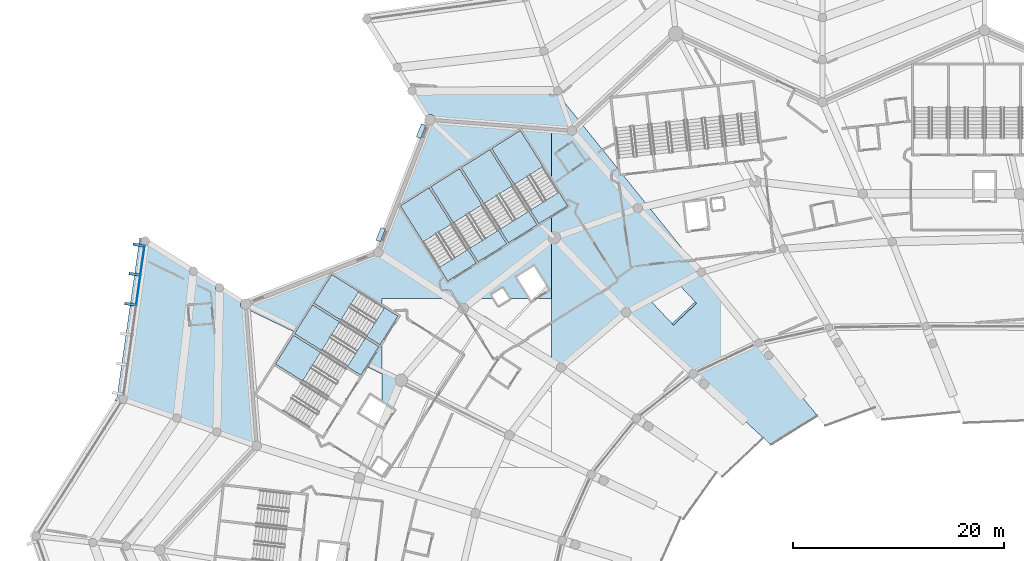
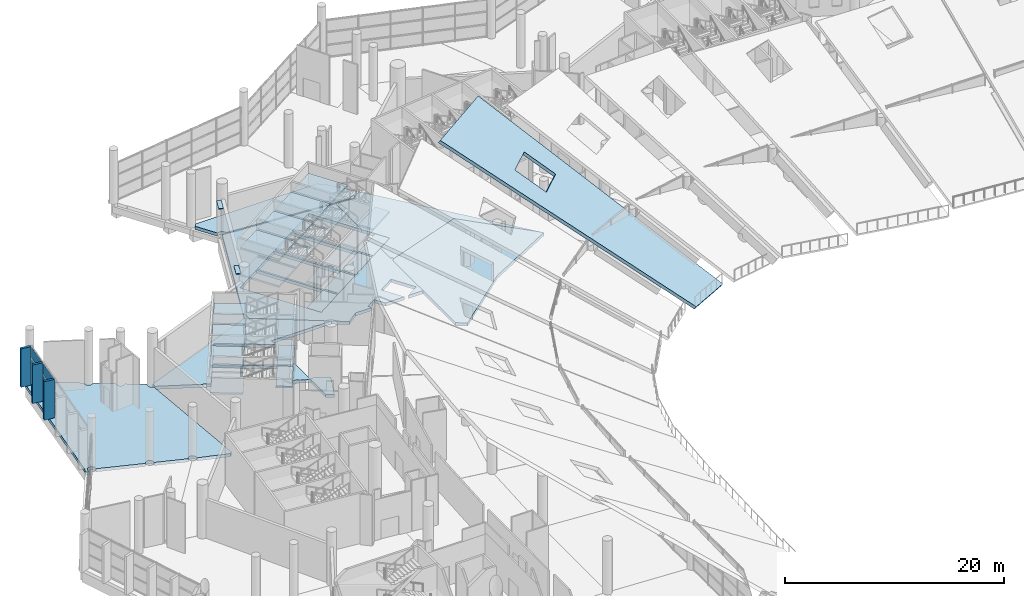
# One storey, part 122 of 249: 33 slabs, 11 plates, 8 elements without a shape of their own.
"""IFC4 building model written with IfcOpenShell, lengths in metres."""

from ifc_helpers import new_model, si_unit, direction, frame, origin, origin_2d, place, context, subcontext, project, spatial, polyline, rectangle, outline, extrude, material, layer, layer_set, type_object, element, aggregate, save


model = new_model("IFC4")

# Units and contexts
model_context = context("Model", 3, precision=1e-05, world=origin(), true_north=direction((0.0, 1.0)))
body_context = subcontext(model_context, "Body", "Model", "MODEL_VIEW")
ifc_project = project(units=[si_unit("LENGTHUNIT", "METRE"), si_unit("AREAUNIT", "SQUARE_METRE"), si_unit("VOLUMEUNIT", "CUBIC_METRE"), si_unit("PLANEANGLEUNIT", "RADIAN"), si_unit("MASSUNIT", "GRAM", prefix="KILO")], contexts=[model_context])

# Site, building, storey
site_placement = place(None, origin())
site = spatial("IfcSite", under=ifc_project, at=site_placement, CompositionType="ELEMENT")
building_placement = place(site_placement, origin())
building = spatial("IfcBuilding", under=site, at=building_placement, Name="Meseta Stadium", CompositionType="ELEMENT")
storey_placement = place(building_placement, frame((0.0, 0.0, 12.0)))
storey = spatial("IfcBuildingStorey", under=building, at=storey_placement, Name="L02", CompositionType="ELEMENT", Elevation=12.0)

# Slabs
ifc_material_1 = material(Name="Concrete C40/50", Category="concrete")
ifc_layer_1 = layer(ifc_material_1, 0.35009765625)
ifc_layer_set_1 = layer_set([ifc_layer_1], Name="Floor slab 350")
slab_type_1 = type_object("IfcSlabType", Name="Floor slab 350", PredefinedType="FLOOR", material=ifc_layer_set_1)
slab_1_placement = place(storey_placement, frame((0.0, 0.0, -0.35009765625)))
element("IfcSlab", 1, at=slab_1_placement, inside=storey, type_object=slab_type_1, Name="Floor slab L02 sector 21 panel 03", PredefinedType="FLOOR", context=body_context, shape_type="SweptSolid", body=[
    extrude(outline(polyline([(-80.124267578125, 84.98388671875), (-80.365478515625, 84.365478515625), (-92.908447265625, 79.474609375), (-92.87451171875, 79.03369140625), (-88.2158203125, 76.793212890625), (-86.58056640625, 79.395751953125), (-80.314697265625, 75.458740234375), (-81.504150390625, 73.565673828125), (-80.0, 72.84228515625), (-80.0, 70.12353515625), (-79.308349609375, 69.68896484375), (-78.197998046875, 72.27197265625), (-80.0, 73.154296875), (-80.0, 75.959716796875), (-80.208251953125, 75.628173828125), (-86.47412109375, 79.565185546875), (-84.771484375, 82.274658203125), (-80.0, 79.276611328125), (-80.0, 80.0), (-73.699951171875, 80.0), (-80.0, 84.126220703125), (-80.0, 84.89990234375), (-80.124267578125, 84.98388671875)])), origin(), (0.0, 0.0, 1.0), 0.35009765625),
])
slab_2_placement = place(storey_placement, frame((0.0, 0.0, -0.35009765625)))
element("IfcSlab", 2, at=slab_2_placement, inside=storey, type_object=slab_type_1, Name="Floor slab L02 sector 21 panel 07", PredefinedType="FLOOR", context=body_context, shape_type="SweptSolid", body=[
    extrude(outline(polyline([(-80.0, 84.126220703125), (-72.31201171875, 79.091064453125), (-71.144287109375, 80.0), (-69.397216796875, 80.0), (-69.62158203125, 80.357177734375), (-68.605712890625, 80.99560546875), (-67.97998046875, 80.0), (-65.972412109375, 80.0), (-67.245849609375, 82.027099609375), (-65.63720703125, 83.0380859375), (-64.25390625, 80.83642578125), (-65.585205078125, 80.0), (-64.0, 80.0), (-64.0, 85.5615234375), (-63.731201171875, 85.77099609375), (-64.0, 86.02587890625), (-64.0, 87.8203125), (-65.1689453125, 87.085693359375), (-69.63818359375, 94.1982421875), (-66.9287109375, 95.90087890625), (-64.0, 91.239990234375), (-64.0, 96.023193359375), (-75.474609375, 96.908447265625), (-75.825927734375, 96.00732421875), (-75.818115234375, 96.0), (-75.828857421875, 96.0), (-80.124267578125, 84.98388671875), (-80.0, 84.89990234375), (-80.0, 84.126220703125)]), holes=[polyline([(-65.33837890625, 86.9794921875), (-68.0478515625, 85.27685546875), (-72.516845703125, 92.389404296875), (-69.807373046875, 94.091796875), (-65.33837890625, 86.9794921875)]), polyline([(-71.09619140625, 83.361572265625), (-73.8056640625, 81.6591796875), (-78.274658203125, 88.771484375), (-75.565185546875, 90.47412109375), (-71.09619140625, 83.361572265625)]), polyline([(-68.21728515625, 85.17041015625), (-70.9267578125, 83.468017578125), (-75.395751953125, 90.58056640625), (-72.686279296875, 92.282958984375), (-68.21728515625, 85.17041015625)])]), origin(), (0.0, 0.0, 1.0), 0.35009765625),
])
slab_3_placement = place(storey_placement, frame((0.0, 0.0, -0.35009765625)))
element("IfcSlab", 3, at=slab_3_placement, inside=storey, type_object=slab_type_1, Name="Floor slab L02 sector 21 panel 09", PredefinedType="FLOOR", context=body_context, shape_type="SweptSolid", body=[
    extrude(outline(polyline([(-62.051513671875, 95.872802734375), (-64.0, 96.023193359375), (-64.0, 91.239990234375), (-62.45947265625, 88.788330078125), (-64.0, 87.8203125), (-64.0, 86.02587890625), (-63.731201171875, 85.77099609375), (-55.799560546875, 88.541748046875), (-49.791259765625, 82.4990234375), (-57.296142578125, 91.798095703125), (-57.449951171875, 91.78076171875), (-57.477294921875, 92.0224609375), (-61.21435546875, 96.653076171875), (-62.051513671875, 95.872802734375)])), origin(), (0.0, 0.0, 1.0), 0.35009765625),
])
slab_4_placement = place(storey_placement, frame((0.0, 0.0, -0.35009765625)))
element("IfcSlab", 4, at=slab_4_placement, inside=storey, type_object=slab_type_1, Name="Floor slab L02 sector 21 panel 10", PredefinedType="FLOOR", context=body_context, shape_type="SweptSolid", body=[
    extrude(outline(polyline([(-63.068115234375, 73.469970703125), (-56.9150390625, 78.69580078125), (-49.791015625, 82.498779296875), (-55.799560546875, 88.541748046875), (-63.731201171875, 85.77099609375), (-64.0, 85.5615234375), (-64.0, 74.098876953125), (-63.068115234375, 73.469970703125)])), origin(), (0.0, 0.0, 1.0), 0.35009765625),
])
slab_5_placement = place(storey_placement, frame((0.0, 0.0, -0.35009765625)))
element("IfcSlab", 5, at=slab_5_placement, inside=storey, type_object=slab_type_1, Name="Ring floor slab L02 3 part 1 panel 02", PredefinedType="FLOOR", context=body_context, shape_type="SweptSolid", body=[
    extrude(outline(polyline([(-76.902099609375, 99.348876953125), (-76.940185546875, 99.319580078125), (-75.705078125, 97.354248046875), (-75.60498046875, 97.395751953125), (-75.474609375, 97.412841796875), (-75.343994140625, 97.395751953125), (-75.222412109375, 97.34521484375), (-75.117919921875, 97.26513671875), (-75.037841796875, 97.16064453125), (-74.9873046875, 97.0390625), (-74.985107421875, 97.021240234375), (-62.463134765625, 96.054931640625), (-62.444580078125, 96.099609375), (-62.37255859375, 96.193603515625), (-62.278564453125, 96.265869140625), (-62.1689453125, 96.31103515625), (-62.051513671875, 96.32666015625), (-61.93408203125, 96.31103515625), (-61.842041015625, 96.27294921875), (-61.30859375, 96.77001953125), (-63.3125, 99.252685546875), (-63.372802734375, 99.244873046875), (-63.47705078125, 99.258544921875), (-63.574462890625, 99.298828125), (-63.657958984375, 99.363037109375), (-63.72216796875, 99.446533203125), (-63.762451171875, 99.543701171875), (-63.77587890625, 99.64794921875), (-76.783935546875, 99.634521484375), (-76.797607421875, 99.52978515625), (-76.837890625, 99.4326171875), (-76.902099609375, 99.348876953125)])), origin(), (0.0, 0.0, 1.0), 0.35009765625),
])
slab_6_placement = place(storey_placement, frame((0.0, 0.0, -0.35009765625)))
element("IfcSlab", 6, at=slab_6_placement, inside=storey, type_object=slab_type_1, Name="Ring floor slab L02 4 part 2 panel 02", PredefinedType="FLOOR", context=body_context, shape_type="SweptSolid", body=[
    extrude(outline(polyline([(-93.395751953125, 79.60498046875), (-93.354248046875, 79.705078125), (-95.065673828125, 80.780517578125), (-95.094970703125, 80.7421875), (-95.178466796875, 80.67822265625), (-95.27587890625, 80.637939453125), (-95.380126953125, 80.624267578125), (-95.484619140625, 80.637939453125), (-95.581787109375, 80.67822265625), (-95.66552734375, 80.7421875), (-95.7294921875, 80.825927734375), (-95.77001953125, 80.923095703125), (-95.78369140625, 81.027587890625), (-95.77001953125, 81.132080078125), (-95.739990234375, 81.2041015625), (-97.537353515625, 82.33349609375), (-97.566650390625, 82.29541015625), (-97.650146484375, 82.231201171875), (-97.747314453125, 82.19091796875), (-97.851806640625, 82.17724609375), (-97.89697265625, 82.18310546875), (-97.956298828125, 82.19091796875), (-98.0537109375, 82.231201171875), (-98.13720703125, 82.29541015625), (-98.201416015625, 82.37890625), (-98.24169921875, 82.476318359375), (-98.25537109375, 82.580810546875), (-98.24169921875, 82.68505859375), (-98.211669921875, 82.75732421875), (-101.26171875, 84.673828125), (-101.236572265625, 84.70751953125), (-102.083984375, 85.239990234375), (-102.138916015625, 85.16845703125), (-102.222412109375, 85.104248046875), (-102.31982421875, 85.06396484375), (-102.42431640625, 85.05029296875), (-102.479736328125, 85.0576171875), (-102.528564453125, 85.06396484375), (-102.6259765625, 85.104248046875), (-102.70947265625, 85.16845703125), (-102.773681640625, 85.251953125), (-102.81396484375, 85.34912109375), (-102.82763671875, 85.45361328125), (-102.81396484375, 85.55810546875), (-102.773681640625, 85.655517578125), (-102.764404296875, 85.66748046875), (-102.93212890625, 85.77294921875), (-105.087158203125, 70.675537109375), (-105.27880859375, 70.37158203125), (-104.837646484375, 70.233154296875), (-104.8701171875, 70.275634765625), (-104.910400390625, 70.372802734375), (-104.92431640625, 70.477294921875), (-104.910400390625, 70.581787109375), (-104.8701171875, 70.678955078125), (-104.805908203125, 70.7626953125), (-104.722412109375, 70.82666015625), (-104.625244140625, 70.866943359375), (-104.520751953125, 70.880859375), (-104.416259765625, 70.866943359375), (-104.319091796875, 70.82666015625), (-104.235595703125, 70.7626953125), (-104.17138671875, 70.678955078125), (-104.131103515625, 70.581787109375), (-104.1171875, 70.477294921875), (-104.131103515625, 70.372802734375), (-104.142578125, 70.344970703125), (-99.802001953125, 68.826171875), (-99.773193359375, 68.8955078125), (-99.708984375, 68.97900390625), (-99.62548828125, 69.043212890625), (-99.5283203125, 69.08349609375), (-99.423828125, 69.09716796875), (-99.3193359375, 69.08349609375), (-99.22216796875, 69.043212890625), (-99.138427734375, 68.97900390625), (-99.074462890625, 68.8955078125), (-99.0341796875, 68.798095703125), (-99.020263671875, 68.69384765625), (-99.0341796875, 68.58935546875), (-99.045654296875, 68.5615234375), (-96.0263671875, 67.5048828125), (-95.997802734375, 67.574462890625), (-95.93359375, 67.657958984375), (-95.85009765625, 67.72216796875), (-95.752685546875, 67.762451171875), (-95.648193359375, 67.776123046875), (-95.543701171875, 67.762451171875), (-95.446533203125, 67.72216796875), (-95.363037109375, 67.657958984375), (-95.298828125, 67.574462890625), (-95.258544921875, 67.47705078125), (-95.244873046875, 67.372802734375), (-95.258544921875, 67.268310546875), (-95.272705078125, 67.234375), (-92.2578125, 66.2890625), (-92.193603515625, 66.37255859375), (-92.099609375, 66.444580078125), (-92.054931640625, 66.463134765625), (-93.021240234375, 78.985107421875), (-93.0390625, 78.9873046875), (-93.16064453125, 79.037841796875), (-93.26513671875, 79.117919921875), (-93.34521484375, 79.222412109375), (-93.395751953125, 79.343994140625), (-93.412841796875, 79.474609375), (-93.395751953125, 79.60498046875)])), origin(), (0.0, 0.0, 1.0), 0.35009765625),
])

# Plates
ifc_material_2 = material(Name="White precast concrete C40/50", Category="concrete")
ifc_layer_2 = layer(ifc_material_2, 0.080078125)
ifc_layer_set_2 = layer_set([ifc_layer_2], Name="Louvre hood 1300x450")
plate_type_1 = type_object("IfcPlateType", Name="Louvre hood 1300x450", PredefinedType="USERDEFINED", material=ifc_layer_set_2)
for number, where, z_axis, x_axis, name in (
    (7, (-80.138671875, 86.0478515625, 4.25), (0.0, 0.0, 1.0), (-0.363280249803, -0.931679912901, 0.0), "Louvre hood L02 F24"),
    (8, (-76.32421875, 95.83056640625, 4.25), (0.0, 0.0, 1.0), (-0.363280249803, -0.931679912901, 0.0), "Louvre hood L02 F24"),
):
    element("IfcPlate", number, at=place(storey_placement, frame(where, z_axis=z_axis, x_axis=x_axis)), inside=storey, type_object=plate_type_1, Name=name, ObjectType="LOUVRE", PredefinedType="USERDEFINED", context=body_context, shape_type="SweptSolid", body=[
        extrude(rectangle(XDim=1.300048828125, YDim=0.449951171875, at=origin_2d()), origin(), (0.0, 0.0, 1.0), 0.080078125),
    ])

# Curtain wall, plates
ifc_material_3 = material(Name="Aluminium", Category="aluminium")
ifc_layer_3 = layer(ifc_material_3, 0.199951171875)
ifc_layer_set_3 = layer_set([ifc_layer_3], Name="Ring shopfront curtain wall")
curtain_wall_type = type_object("IfcCurtainWallType", Name="Ring shopfront curtain wall", PredefinedType="NOTDEFINED", material=ifc_layer_set_3)
curtain_wall_placement = place(storey_placement, origin())
curtain_wall = element("IfcCurtainWall", 9, at=curtain_wall_placement, inside=storey, type_object=curtain_wall_type, Name="Ring glazing L02 F26", PredefinedType="NOTDEFINED")
ifc_material_4 = material(Name="Glass", Category="glass")
ifc_layer_4 = layer(ifc_material_4, 0.035888671875)
ifc_layer_set_4 = layer_set([ifc_layer_4], Name="Ring CW glass panel 36")
plate_type_2 = type_object("IfcPlateType", Name="Ring CW glass panel 36", PredefinedType="CURTAIN_PANEL", material=ifc_layer_set_4)
plate_1_placement = place(storey_placement, frame((-102.68017578125, 83.624267578125, 0.14990234375), z_axis=(0.0, 0.0, 1.0), x_axis=(-0.13864277713, -0.990342456098, 0.0)))
plate_1 = element("IfcPlate", 10, at=plate_1_placement, type_object=plate_type_2, Name="CWR1 panel 1.1", PredefinedType="CURTAIN_PANEL", context=body_context, shape_type="SweptSolid", body=[
    extrude(rectangle(XDim=2.7744140625, YDim=0.035888671875, at=origin_2d()), origin(), (0.0, 0.0, 1.0), 1.208251953125),
])
plate_2_placement = place(storey_placement, frame((-102.68017578125, 83.624267578125, 1.50830078125), z_axis=(0.0, 0.0, 1.0), x_axis=(-0.13864277713, -0.990342456098, 0.0)))
plate_2 = element("IfcPlate", 11, at=plate_2_placement, type_object=plate_type_2, Name="CWR1 panel 1.2", PredefinedType="CURTAIN_PANEL", context=body_context, shape_type="SweptSolid", body=[
    extrude(rectangle(XDim=2.7744140625, YDim=0.035888671875, at=origin_2d()), origin(), (0.0, 0.0, 1.0), 1.283447265625),
])
plate_3_placement = place(storey_placement, frame((-102.68017578125, 83.624267578125, 2.94189453125), z_axis=(0.0, 0.0, 1.0), x_axis=(-0.13864277713, -0.990342456098, 0.0)))
plate_3 = element("IfcPlate", 12, at=plate_3_placement, type_object=plate_type_2, Name="CWR1 panel 1.3", PredefinedType="CURTAIN_PANEL", context=body_context, shape_type="SweptSolid", body=[
    extrude(rectangle(XDim=2.7744140625, YDim=0.035888671875, at=origin_2d()), origin(), (0.0, 0.0, 1.0), 1.208251953125),
])
plate_4_placement = place(storey_placement, frame((-103.0751953125, 80.80224609375, 0.14990234375), z_axis=(0.0, 0.0, 1.0), x_axis=(-0.13864277713, -0.990342456098, 0.0)))
plate_4 = element("IfcPlate", 13, at=plate_4_placement, type_object=plate_type_2, Name="CWR1 panel 2.1", PredefinedType="CURTAIN_PANEL", context=body_context, shape_type="SweptSolid", body=[
    extrude(rectangle(XDim=2.804443359375, YDim=0.035888671875, at=origin_2d()), origin(), (0.0, 0.0, 1.0), 1.208251953125),
])
plate_5_placement = place(storey_placement, frame((-103.0751953125, 80.80224609375, 1.50830078125), z_axis=(0.0, 0.0, 1.0), x_axis=(-0.13864277713, -0.990342456098, 0.0)))
plate_5 = element("IfcPlate", 14, at=plate_5_placement, type_object=plate_type_2, Name="CWR1 panel 2.2", PredefinedType="CURTAIN_PANEL", context=body_context, shape_type="SweptSolid", body=[
    extrude(rectangle(XDim=2.804443359375, YDim=0.035888671875, at=origin_2d()), origin(), (0.0, 0.0, 1.0), 1.283447265625),
])
plate_6_placement = place(storey_placement, frame((-103.0751953125, 80.80224609375, 2.94189453125), z_axis=(0.0, 0.0, 1.0), x_axis=(-0.13864277713, -0.990342456098, 0.0)))
plate_6 = element("IfcPlate", 15, at=plate_6_placement, type_object=plate_type_2, Name="CWR1 panel 2.3", PredefinedType="CURTAIN_PANEL", context=body_context, shape_type="SweptSolid", body=[
    extrude(rectangle(XDim=2.804443359375, YDim=0.035888671875, at=origin_2d()), origin(), (0.0, 0.0, 1.0), 1.208251953125),
])
aggregate(curtain_wall, [plate_1, plate_2, plate_3, plate_4, plate_5, plate_6])

# Plates
ifc_material_5 = material(Name="Precast concrete C40/50", Category="concrete")
ifc_layer_5 = layer(ifc_material_5, 0.25)
ifc_layer_set_5 = layer_set([ifc_layer_5], Name="Ring brise-soleil fin 250x1000")
plate_type_3 = type_object("IfcPlateType", Name="Ring brise-soleil fin 250x1000", PredefinedType="USERDEFINED", material=ifc_layer_set_5)
for number, where, z_axis, x_axis, name in (
    (16, (-103.084228515625, 85.06640625, 0.0), (0.0, 0.0, 1.0), (-0.138640750978, -0.990342739746, 0.0), "Brise-soleil fin L02 F26.1"),
    (17, (-103.470947265625, 82.303955078125, 0.0), (0.0, 0.0, 1.0), (-0.138640750978, -0.990342739746, 0.0), "Brise-soleil fin L02 F26.2"),
    (18, (-103.8681640625, 79.467041015625, 0.0), (0.0, 0.0, 1.0), (-0.138640750978, -0.990342739746, 0.0), "Brise-soleil fin L02 F26.3"),
):
    element("IfcPlate", number, at=place(storey_placement, frame(where, z_axis=z_axis, x_axis=x_axis)), inside=storey, type_object=plate_type_3, Name=name, ObjectType="FIN", PredefinedType="USERDEFINED", context=body_context, shape_type="SweptSolid", body=[
        extrude(rectangle(XDim=0.25, YDim=1.0, at=origin_2d()), origin(), (0.0, 0.0, 1.0), 4.300048828125),
    ])

# Slab
ifc_material_6 = material(Name="Concrete C40/50", Category="concrete")
ifc_layer_6 = layer(ifc_material_6, 0.35009765625)
ifc_layer_set_6 = layer_set([ifc_layer_6], Name="Seating tier 350")
slab_type_2 = type_object("IfcSlabType", Name="Seating tier 350", PredefinedType="USERDEFINED", material=ifc_layer_set_6)
slab_7_placement = place(storey_placement, frame((-38.76904296875, 68.84130859375, -1.318603515625), z_axis=(0.363623445258, -0.385585289405, 0.847998805809), x_axis=(-0.533013963594, 0.660452558356, 0.528865325744)))
element("IfcSlab", 19, at=slab_7_placement, inside=storey, type_object=slab_type_2, Name="Stand upper tier bay 24", ObjectType="SEATING TIER", PredefinedType="USERDEFINED", context=body_context, shape_type="SweptSolid", body=[
    extrude(outline(polyline([(0.0, 0.0), (28.278420036742716, 5.218048215738236e-15), (28.918381251701994, 8.741504458459989), (0.8680745162456336, 5.140137560751964), (0.0, 0.0)]), holes=[polyline([(18.369384765625, 2.213623046875), (21.899658203125, 2.445068359375), (21.70361328125, 5.438232421875), (18.173583984375, 5.207275390625), (18.369384765625, 2.213623046875)])]), origin(), (0.0, 0.0, -1.0), 0.35009765625),
])

# Stair, slabs
ifc_material_7 = material(Name="Concrete C40/50", Category="concrete")
stair_type = type_object("IfcStairType", Name="Exit stair 4 flights 150 mm risers", PredefinedType="HALF_TURN_STAIR", material=ifc_material_7)
stair_1_placement = place(storey_placement, origin())
stair_1 = element("IfcStair", 20, at=stair_1_placement, inside=storey, type_object=stair_type, Name="ST49 L02", PredefinedType="HALF_TURN_STAIR")
ifc_material_8 = material(Name="Concrete C40/50", Category="concrete")
ifc_layer_7 = layer(ifc_material_8, 0.199951171875)
ifc_layer_set_7 = layer_set([ifc_layer_7], Name="Stair landing 200")
slab_type_3 = type_object("IfcSlabType", Name="Stair landing 200", PredefinedType="LANDING", material=ifc_layer_set_7)
slab_8_placement = place(storey_placement, frame((0.0, 0.0, 1.300048828125)))
slab_8 = element("IfcSlab", 21, at=slab_8_placement, type_object=slab_type_3, Name="ST49 L02 landing 1", PredefinedType="LANDING", context=body_context, shape_type="SweptSolid", body=[
    extrude(outline(polyline([(-64.784423828125, 92.488525390625), (-66.928466796875, 95.90087890625), (-69.63818359375, 94.1982421875), (-67.493896484375, 90.7861328125), (-64.784423828125, 92.488525390625)])), origin(), (0.0, 0.0, 1.0), 0.199951171875),
])
slab_9_placement = place(storey_placement, frame((0.0, 0.0, 2.800048828125)))
slab_9 = element("IfcSlab", 22, at=slab_9_placement, type_object=slab_type_3, Name="ST49 L02 landing 2", PredefinedType="LANDING", context=body_context, shape_type="SweptSolid", body=[
    extrude(outline(polyline([(-62.45947265625, 88.788330078125), (-63.262939453125, 90.06689453125), (-65.972412109375, 88.364501953125), (-65.1689453125, 87.0859375), (-62.45947265625, 88.788330078125)])), origin(), (0.0, 0.0, 1.0), 0.199951171875),
])
slab_10_placement = place(storey_placement, frame((0.0, 0.0, 4.300048828125)))
slab_10 = element("IfcSlab", 23, at=slab_10_placement, type_object=slab_type_3, Name="ST49 L02 landing 3", PredefinedType="LANDING", context=body_context, shape_type="SweptSolid", body=[
    extrude(outline(polyline([(-64.784423828125, 92.488525390625), (-66.928466796875, 95.90087890625), (-69.63818359375, 94.1982421875), (-67.493896484375, 90.7861328125), (-64.784423828125, 92.488525390625)])), origin(), (0.0, 0.0, 1.0), 0.199951171875),
])
slab_11_placement = place(storey_placement, frame((0.0, 0.0, -0.199951171875)))
slab_11 = element("IfcSlab", 24, at=slab_11_placement, type_object=slab_type_3, Name="ST49 L02 landing 4", PredefinedType="LANDING", context=body_context, shape_type="SweptSolid", body=[
    extrude(outline(polyline([(-62.45947265625, 88.788330078125), (-63.262939453125, 90.06689453125), (-65.972412109375, 88.364501953125), (-65.1689453125, 87.0859375), (-62.45947265625, 88.788330078125)])), origin(), (0.0, 0.0, 1.0), 0.199951171875),
])
aggregate(stair_1, [slab_8, slab_9, slab_10, slab_11])

stair_2_placement = place(storey_placement, origin())
stair_2 = element("IfcStair", 25, at=stair_2_placement, inside=storey, type_object=stair_type, Name="ST50 L02", PredefinedType="HALF_TURN_STAIR")
slab_12_placement = place(storey_placement, frame((0.0, 0.0, 1.300048828125)))
slab_12 = element("IfcSlab", 26, at=slab_12_placement, type_object=slab_type_3, Name="ST50 L02 landing 1", PredefinedType="LANDING", context=body_context, shape_type="SweptSolid", body=[
    extrude(outline(polyline([(-67.663330078125, 90.6796875), (-69.807373046875, 94.091796875), (-72.516845703125, 92.389404296875), (-70.372802734375, 88.97705078125), (-67.663330078125, 90.6796875)])), origin(), (0.0, 0.0, 1.0), 0.199951171875),
])
slab_13_placement = place(storey_placement, frame((0.0, 0.0, 2.800048828125)))
slab_13 = element("IfcSlab", 27, at=slab_13_placement, type_object=slab_type_3, Name="ST50 L02 landing 2", PredefinedType="LANDING", context=body_context, shape_type="SweptSolid", body=[
    extrude(outline(polyline([(-65.33837890625, 86.9794921875), (-66.1416015625, 88.258056640625), (-68.851318359375, 86.555419921875), (-68.0478515625, 85.27685546875), (-65.33837890625, 86.9794921875)])), origin(), (0.0, 0.0, 1.0), 0.199951171875),
])
slab_14_placement = place(storey_placement, frame((0.0, 0.0, 4.300048828125)))
slab_14 = element("IfcSlab", 28, at=slab_14_placement, type_object=slab_type_3, Name="ST50 L02 landing 3", PredefinedType="LANDING", context=body_context, shape_type="SweptSolid", body=[
    extrude(outline(polyline([(-67.663330078125, 90.6796875), (-69.807373046875, 94.091796875), (-72.516845703125, 92.389404296875), (-70.372802734375, 88.97705078125), (-67.663330078125, 90.6796875)])), origin(), (0.0, 0.0, 1.0), 0.199951171875),
])
slab_15_placement = place(storey_placement, frame((0.0, 0.0, -0.199951171875)))
slab_15 = element("IfcSlab", 29, at=slab_15_placement, type_object=slab_type_3, Name="ST50 L02 landing 4", PredefinedType="LANDING", context=body_context, shape_type="SweptSolid", body=[
    extrude(outline(polyline([(-65.33837890625, 86.9794921875), (-66.1416015625, 88.258056640625), (-68.851318359375, 86.555419921875), (-68.0478515625, 85.27685546875), (-65.33837890625, 86.9794921875)])), origin(), (0.0, 0.0, 1.0), 0.199951171875),
])
aggregate(stair_2, [slab_12, slab_13, slab_14, slab_15])

stair_3_placement = place(storey_placement, origin())
stair_3 = element("IfcStair", 30, at=stair_3_placement, inside=storey, type_object=stair_type, Name="ST51 L02", PredefinedType="HALF_TURN_STAIR")
slab_16_placement = place(storey_placement, frame((0.0, 0.0, 1.300048828125)))
slab_16 = element("IfcSlab", 31, at=slab_16_placement, type_object=slab_type_3, Name="ST51 L02 landing 1", PredefinedType="LANDING", context=body_context, shape_type="SweptSolid", body=[
    extrude(outline(polyline([(-70.542236328125, 88.87060546875), (-72.686279296875, 92.282958984375), (-75.395751953125, 90.58056640625), (-73.251708984375, 87.168212890625), (-70.542236328125, 88.87060546875)])), origin(), (0.0, 0.0, 1.0), 0.199951171875),
])
slab_17_placement = place(storey_placement, frame((0.0, 0.0, 2.800048828125)))
slab_17 = element("IfcSlab", 32, at=slab_17_placement, type_object=slab_type_3, Name="ST51 L02 landing 2", PredefinedType="LANDING", context=body_context, shape_type="SweptSolid", body=[
    extrude(outline(polyline([(-68.21728515625, 85.17041015625), (-69.0205078125, 86.448974609375), (-71.72998046875, 84.74658203125), (-70.9267578125, 83.468017578125), (-68.21728515625, 85.17041015625)])), origin(), (0.0, 0.0, 1.0), 0.199951171875),
])
slab_18_placement = place(storey_placement, frame((0.0, 0.0, 4.300048828125)))
slab_18 = element("IfcSlab", 33, at=slab_18_placement, type_object=slab_type_3, Name="ST51 L02 landing 3", PredefinedType="LANDING", context=body_context, shape_type="SweptSolid", body=[
    extrude(outline(polyline([(-70.542236328125, 88.87060546875), (-72.686279296875, 92.282958984375), (-75.395751953125, 90.58056640625), (-73.251708984375, 87.168212890625), (-70.542236328125, 88.87060546875)])), origin(), (0.0, 0.0, 1.0), 0.199951171875),
])
slab_19_placement = place(storey_placement, frame((0.0, 0.0, -0.199951171875)))
slab_19 = element("IfcSlab", 34, at=slab_19_placement, type_object=slab_type_3, Name="ST51 L02 landing 4", PredefinedType="LANDING", context=body_context, shape_type="SweptSolid", body=[
    extrude(outline(polyline([(-68.21728515625, 85.17041015625), (-69.0205078125, 86.448974609375), (-71.72998046875, 84.74658203125), (-70.9267578125, 83.468017578125), (-68.21728515625, 85.17041015625)])), origin(), (0.0, 0.0, 1.0), 0.199951171875),
])
aggregate(stair_3, [slab_16, slab_17, slab_18, slab_19])

stair_4_placement = place(storey_placement, origin())
stair_4 = element("IfcStair", 35, at=stair_4_placement, inside=storey, type_object=stair_type, Name="ST52 L02", PredefinedType="HALF_TURN_STAIR")
slab_20_placement = place(storey_placement, frame((0.0, 0.0, 1.300048828125)))
slab_20 = element("IfcSlab", 36, at=slab_20_placement, type_object=slab_type_3, Name="ST52 L02 landing 1", PredefinedType="LANDING", context=body_context, shape_type="SweptSolid", body=[
    extrude(outline(polyline([(-73.421142578125, 87.061767578125), (-75.565185546875, 90.47412109375), (-78.274658203125, 88.771484375), (-76.130615234375, 85.359375), (-73.421142578125, 87.061767578125)])), origin(), (0.0, 0.0, 1.0), 0.199951171875),
])
slab_21_placement = place(storey_placement, frame((0.0, 0.0, 2.800048828125)))
slab_21 = element("IfcSlab", 37, at=slab_21_placement, type_object=slab_type_3, Name="ST52 L02 landing 2", PredefinedType="LANDING", context=body_context, shape_type="SweptSolid", body=[
    extrude(outline(polyline([(-71.095947265625, 83.361572265625), (-71.8994140625, 84.64013671875), (-74.60888671875, 82.937744140625), (-73.8056640625, 81.6591796875), (-71.095947265625, 83.361572265625)])), origin(), (0.0, 0.0, 1.0), 0.199951171875),
])
slab_22_placement = place(storey_placement, frame((0.0, 0.0, 4.300048828125)))
slab_22 = element("IfcSlab", 38, at=slab_22_placement, type_object=slab_type_3, Name="ST52 L02 landing 3", PredefinedType="LANDING", context=body_context, shape_type="SweptSolid", body=[
    extrude(outline(polyline([(-73.421142578125, 87.061767578125), (-75.565185546875, 90.47412109375), (-78.274658203125, 88.771484375), (-76.130615234375, 85.359375), (-73.421142578125, 87.061767578125)])), origin(), (0.0, 0.0, 1.0), 0.199951171875),
])
slab_23_placement = place(storey_placement, frame((0.0, 0.0, -0.199951171875)))
slab_23 = element("IfcSlab", 39, at=slab_23_placement, type_object=slab_type_3, Name="ST52 L02 landing 4", PredefinedType="LANDING", context=body_context, shape_type="SweptSolid", body=[
    extrude(outline(polyline([(-71.095947265625, 83.361572265625), (-71.8994140625, 84.64013671875), (-74.60888671875, 82.937744140625), (-73.8056640625, 81.6591796875), (-71.095947265625, 83.361572265625)])), origin(), (0.0, 0.0, 1.0), 0.199951171875),
])
aggregate(stair_4, [slab_20, slab_21, slab_22, slab_23])

stair_5_placement = place(storey_placement, origin())
stair_5 = element("IfcStair", 40, at=stair_5_placement, inside=storey, type_object=stair_type, Name="ST53 L02", PredefinedType="HALF_TURN_STAIR")
slab_24_placement = place(storey_placement, frame((0.0, 0.0, 1.300048828125)))
slab_24 = element("IfcSlab", 41, at=slab_24_placement, type_object=slab_type_3, Name="ST53 L02 landing 1", PredefinedType="LANDING", context=body_context, shape_type="SweptSolid", body=[
    extrude(outline(polyline([(-82.2060546875, 80.66259765625), (-84.771484375, 82.274658203125), (-86.47412109375, 79.565185546875), (-83.908447265625, 77.953125), (-82.2060546875, 80.66259765625)])), origin(), (0.0, 0.0, 1.0), 0.199951171875),
])
slab_25_placement = place(storey_placement, frame((0.0, 0.0, 2.800048828125)))
slab_25 = element("IfcSlab", 42, at=slab_25_placement, type_object=slab_type_3, Name="ST53 L02 landing 2", PredefinedType="LANDING", context=body_context, shape_type="SweptSolid", body=[
    extrude(outline(polyline([(-78.505859375, 78.337646484375), (-79.784423828125, 79.140869140625), (-81.48681640625, 76.431396484375), (-80.208251953125, 75.628173828125), (-78.505859375, 78.337646484375)])), origin(), (0.0, 0.0, 1.0), 0.199951171875),
])
slab_26_placement = place(storey_placement, frame((0.0, 0.0, 4.300048828125)))
slab_26 = element("IfcSlab", 43, at=slab_26_placement, type_object=slab_type_3, Name="ST53 L02 landing 3", PredefinedType="LANDING", context=body_context, shape_type="SweptSolid", body=[
    extrude(outline(polyline([(-82.2060546875, 80.66259765625), (-84.771484375, 82.274658203125), (-86.47412109375, 79.565185546875), (-83.908447265625, 77.953125), (-82.2060546875, 80.66259765625)])), origin(), (0.0, 0.0, 1.0), 0.199951171875),
])
slab_27_placement = place(storey_placement, frame((0.0, 0.0, -0.199951171875)))
slab_27 = element("IfcSlab", 44, at=slab_27_placement, type_object=slab_type_3, Name="ST53 L02 landing 4", PredefinedType="LANDING", context=body_context, shape_type="SweptSolid", body=[
    extrude(outline(polyline([(-78.505859375, 78.337646484375), (-79.784423828125, 79.140869140625), (-81.48681640625, 76.431396484375), (-80.208251953125, 75.628173828125), (-78.505859375, 78.337646484375)])), origin(), (0.0, 0.0, 1.0), 0.199951171875),
])
aggregate(stair_5, [slab_24, slab_25, slab_26, slab_27])

stair_6_placement = place(storey_placement, origin())
stair_6 = element("IfcStair", 45, at=stair_6_placement, inside=storey, type_object=stair_type, Name="ST54 L02", PredefinedType="HALF_TURN_STAIR")
slab_28_placement = place(storey_placement, frame((0.0, 0.0, 1.300048828125)))
slab_28 = element("IfcSlab", 46, at=slab_28_placement, type_object=slab_type_3, Name="ST54 L02 landing 1", PredefinedType="LANDING", context=body_context, shape_type="SweptSolid", body=[
    extrude(outline(polyline([(-84.014892578125, 77.78369140625), (-86.58056640625, 79.395751953125), (-88.282958984375, 76.686279296875), (-85.717529296875, 75.07421875), (-84.014892578125, 77.78369140625)])), origin(), (0.0, 0.0, 1.0), 0.199951171875),
])
slab_29_placement = place(storey_placement, frame((0.0, 0.0, 2.800048828125)))
slab_29 = element("IfcSlab", 47, at=slab_29_placement, type_object=slab_type_3, Name="ST54 L02 landing 2", PredefinedType="LANDING", context=body_context, shape_type="SweptSolid", body=[
    extrude(outline(polyline([(-80.314697265625, 75.458740234375), (-81.59326171875, 76.26220703125), (-83.2958984375, 73.552490234375), (-82.017333984375, 72.749267578125), (-80.314697265625, 75.458740234375)])), origin(), (0.0, 0.0, 1.0), 0.199951171875),
])
slab_30_placement = place(storey_placement, frame((0.0, 0.0, 4.300048828125)))
slab_30 = element("IfcSlab", 48, at=slab_30_placement, type_object=slab_type_3, Name="ST54 L02 landing 3", PredefinedType="LANDING", context=body_context, shape_type="SweptSolid", body=[
    extrude(outline(polyline([(-84.014892578125, 77.78369140625), (-86.58056640625, 79.395751953125), (-88.282958984375, 76.686279296875), (-85.717529296875, 75.07421875), (-84.014892578125, 77.78369140625)])), origin(), (0.0, 0.0, 1.0), 0.199951171875),
])
slab_31_placement = place(storey_placement, frame((0.0, 0.0, -0.199951171875)))
slab_31 = element("IfcSlab", 49, at=slab_31_placement, type_object=slab_type_3, Name="ST54 L02 landing 4", PredefinedType="LANDING", context=body_context, shape_type="SweptSolid", body=[
    extrude(outline(polyline([(-80.314697265625, 75.458740234375), (-81.59326171875, 76.26220703125), (-83.2958984375, 73.552490234375), (-82.017333984375, 72.749267578125), (-80.314697265625, 75.458740234375)])), origin(), (0.0, 0.0, 1.0), 0.199951171875),
])
aggregate(stair_6, [slab_28, slab_29, slab_30, slab_31])

stair_7_placement = place(storey_placement, origin())
stair_7 = element("IfcStair", 50, at=stair_7_placement, inside=storey, type_object=stair_type, Name="ST55 L02", PredefinedType="HALF_TURN_STAIR")
slab_32_placement = place(storey_placement, frame((0.0, 0.0, 1.300048828125)))
slab_32 = element("IfcSlab", 51, at=slab_32_placement, type_object=slab_type_3, Name="ST55 L02 landing 1", PredefinedType="LANDING", context=body_context, shape_type="SweptSolid", body=[
    extrude(outline(polyline([(-85.82373046875, 74.90478515625), (-88.389404296875, 76.516845703125), (-90.091796875, 73.807373046875), (-87.5263671875, 72.1953125), (-85.82373046875, 74.90478515625)])), origin(), (0.0, 0.0, 1.0), 0.199951171875),
])
slab_33_placement = place(storey_placement, frame((0.0, 0.0, 4.300048828125)))
slab_33 = element("IfcSlab", 52, at=slab_33_placement, type_object=slab_type_3, Name="ST55 L02 landing 3", PredefinedType="LANDING", context=body_context, shape_type="SweptSolid", body=[
    extrude(outline(polyline([(-85.82373046875, 74.90478515625), (-88.389404296875, 76.516845703125), (-90.091796875, 73.807373046875), (-87.5263671875, 72.1953125), (-85.82373046875, 74.90478515625)])), origin(), (0.0, 0.0, 1.0), 0.199951171875),
])
aggregate(stair_7, [slab_32, slab_33])

save(model, "model.ifc")
